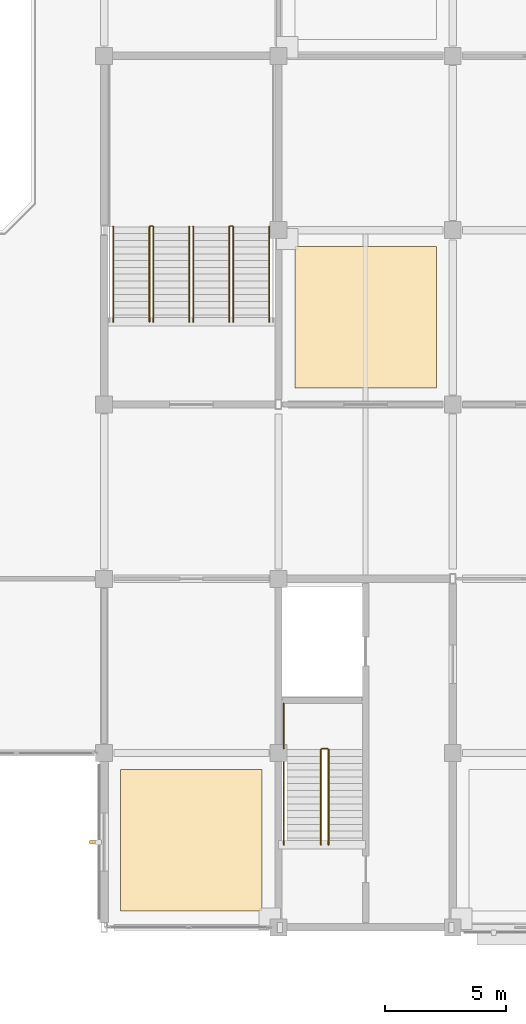
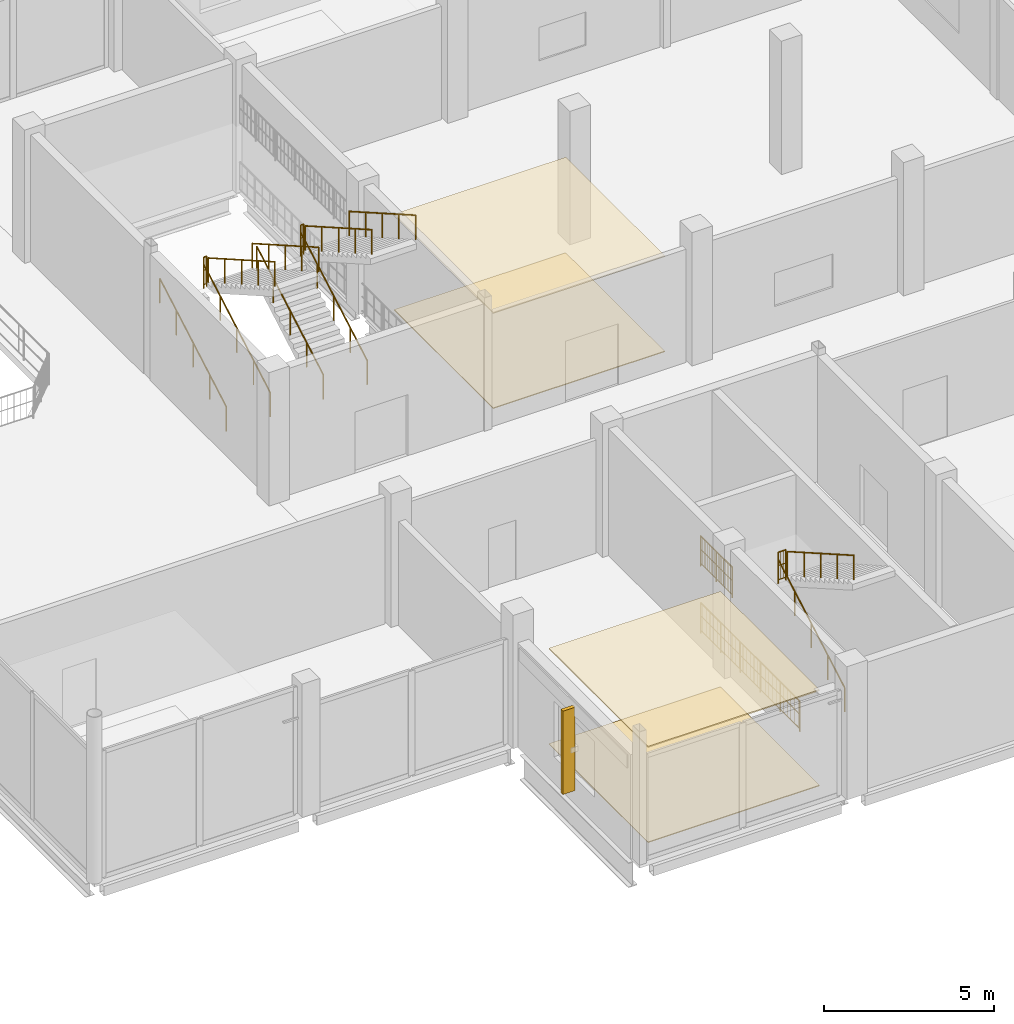
# One storey, part 109 of 120: 15 railings, 4 coverings, 1 shading device.
"""IFC4 building model written with IfcOpenShell, lengths in metres."""

from ifc_helpers import new_model, si_unit, direction, frame, origin, origin_2d, place, context, subcontext, project, spatial, polyline, rectangle, circle, outline, extrude, material, layer, layer_set, type_object, element, save


model = new_model("IFC4")

# Units and contexts
model_context = context("Model", 3, precision=1e-05, world=origin(), true_north=direction((0.0, 1.0)))
body_context = subcontext(model_context, "Body", "Model", "MODEL_VIEW")
ifc_project = project(units=[si_unit("LENGTHUNIT", "METRE"), si_unit("AREAUNIT", "SQUARE_METRE"), si_unit("VOLUMEUNIT", "CUBIC_METRE"), si_unit("PLANEANGLEUNIT", "RADIAN"), si_unit("MASSUNIT", "GRAM", prefix="KILO")], contexts=[model_context])

# Site, building, storey
site_placement = place(None, origin())
site = spatial("IfcSite", under=ifc_project, at=site_placement, CompositionType="ELEMENT")
building_placement = place(site_placement, origin())
building = spatial("IfcBuilding", under=site, at=building_placement, Name="Vesperath Aquatics Centre", CompositionType="ELEMENT")
storey_placement = place(building_placement, frame((0.0, 0.0, 10.199951171875)))
storey = spatial("IfcBuildingStorey", under=building, at=storey_placement, Name="L02", CompositionType="ELEMENT", Elevation=10.199951171875)

# Coverings
ifc_material_1 = material(Name="Perforated moisture-resistant acoustic mineral-fibre ceiling", Category="gypsum")
ifc_layer_1 = layer(ifc_material_1, 0.044921875)
ifc_layer_set_1 = layer_set([ifc_layer_1], Name="Perforated moisture-resistant acoustic mineral-fibre ceiling")
covering_type_1 = type_object("IfcCoveringType", Name="CV-CLG01", PredefinedType="CEILING", material=ifc_layer_set_1)
covering_1_placement = place(storey_placement, frame((0.0, 0.0, 3.425048828125)))
element("IfcCovering", 1, at=covering_1_placement, inside=storey, type_object=covering_type_1, Name="Acoustic Suspended Ceiling CLG1 L02_CARDIO", PredefinedType="CEILING", context=body_context, shape_type="SweptSolid", body=[
    extrude(outline(polyline([(115.8798828125, 0.679931640625), (121.719970703125, 0.679931640625), (121.719970703125, 6.52001953125), (115.8798828125, 6.52001953125), (115.8798828125, 0.679931640625)])), origin(), (0.0, 0.0, 1.0), 0.044921875),
])
covering_2_placement = place(storey_placement, frame((0.0, 0.0, 3.425048828125)))
element("IfcCovering", 2, at=covering_2_placement, inside=storey, type_object=covering_type_1, Name="Acoustic Suspended Ceiling CLG1 L02_FUNC_TR", PredefinedType="CEILING", context=body_context, shape_type="SweptSolid", body=[
    extrude(outline(polyline([(123.080078125, 22.280029296875), (128.919921875, 22.280029296875), (128.919921875, 28.1201171875), (123.080078125, 28.1201171875), (123.080078125, 22.280029296875)])), origin(), (0.0, 0.0, 1.0), 0.044921875),
])
ifc_material_2 = material(Name="Slip-resistant vitrified ceramic and terrazzo flooring", Category="ceramic")
ifc_layer_2 = layer(ifc_material_2, 0.030029296875)
ifc_layer_set_2 = layer_set([ifc_layer_2], Name="Slip-resistant vitrified ceramic and terrazzo flooring")
covering_type_2 = type_object("IfcCoveringType", Name="CV-FLR01", PredefinedType="FLOORING", material=ifc_layer_set_2)
covering_3_placement = place(storey_placement, origin())
element("IfcCovering", 3, at=covering_3_placement, inside=storey, type_object=covering_type_2, Name="Slip-Resistant Floor Finish FLR1 L02_CARDIO", PredefinedType="FLOORING", context=body_context, shape_type="SweptSolid", body=[
    extrude(outline(polyline([(115.8798828125, 0.679931640625), (121.719970703125, 0.679931640625), (121.719970703125, 6.52001953125), (115.8798828125, 6.52001953125), (115.8798828125, 0.679931640625)])), origin(), (0.0, 0.0, 1.0), 0.030029296875),
])
covering_4_placement = place(storey_placement, origin())
element("IfcCovering", 4, at=covering_4_placement, inside=storey, type_object=covering_type_2, Name="Slip-Resistant Floor Finish FLR1 L02_FUNC_TR", PredefinedType="FLOORING", context=body_context, shape_type="SweptSolid", body=[
    extrude(outline(polyline([(123.080078125, 22.280029296875), (128.919921875, 22.280029296875), (128.919921875, 28.1201171875), (123.080078125, 28.1201171875), (123.080078125, 22.280029296875)])), origin(), (0.0, 0.0, 1.0), 0.030029296875),
])

# Railings
ifc_material_3 = material(Name="Powder-coated galvanized steel safety guard", Category="steel")
railing_type_1 = type_object("IfcRailingType", Name="RL-GRD01", PredefinedType="GUARDRAIL", material=ifc_material_3)
railing_1_placement = place(storey_placement, frame((124.179931640625, 7.3798828125, 2.400146484375)))
element("IfcRailing", 5, at=railing_1_placement, inside=storey, type_object=railing_type_1, Name="Stair ST5 Half-Landing Slot Guard GR02 L02", PredefinedType="GUARDRAIL", context=body_context, shape_type="SweptSolid", body=[
    extrude(circle(Radius=0.02392578125, at=origin_2d()), frame((0.0, 0.0, 1.0859375), z_axis=(1.0, 0.0, 0.0), x_axis=(0.0, 1.0, 0.0)), (0.0, 0.0, 1.0), 0.260009765625),
    extrude(circle(Radius=0.01611328125, at=origin_2d()), frame((0.0, 0.0, 0.10009765625), z_axis=(1.0, 0.0, 0.0), x_axis=(0.0, 1.0, 0.0)), (0.0, 0.0, 1.0), 0.260009765625),
    extrude(circle(Radius=0.01611328125, at=origin_2d()), frame((0.0, 0.0, 0.610595703125), z_axis=(1.0, 0.0, 0.0), x_axis=(0.0, 1.0, 0.0)), (0.0, 0.0, 1.0), 0.260009765625),
    extrude(circle(Radius=0.009033203125, at=origin_2d()), frame((0.086669921875, 0.0, 0.10009765625)), (0.0, 0.0, 1.0), 0.9619140625),
    extrude(circle(Radius=0.009033203125, at=origin_2d()), frame((0.17333984375, 0.0, 0.10009765625)), (0.0, 0.0, 1.0), 0.9619140625),
    extrude(circle(Radius=0.02197265625, at=origin_2d()), origin(), (0.0, 0.0, 1.0), 1.0859375),
    extrude(circle(Radius=0.02197265625, at=origin_2d()), frame((0.260009765625, 0.0, 0.0)), (0.0, 0.0, 1.0), 1.0859375),
])
railing_2_placement = place(storey_placement, frame((122.6201171875, 7.3798828125, 2.400146484375)))
element("IfcRailing", 6, at=railing_2_placement, inside=storey, type_object=railing_type_1, Name="Stair ST5 Half-Landing Wall Guard GR02 L02", PredefinedType="GUARDRAIL", context=body_context, shape_type="SweptSolid", body=[
    extrude(circle(Radius=0.02392578125, at=origin_2d()), frame((0.0, 0.0, 1.0859375), z_axis=(0.0, 1.0, 0.0), x_axis=(-1.0, 0.0, 0.0)), (0.0, 0.0, 1.0), 1.880126953125),
    extrude(circle(Radius=0.01611328125, at=origin_2d()), frame((0.0, 0.0, 0.10009765625), z_axis=(0.0, 1.0, 0.0), x_axis=(-1.0, 0.0, 0.0)), (0.0, 0.0, 1.0), 1.880126953125),
    extrude(circle(Radius=0.01611328125, at=origin_2d()), frame((0.0, 0.0, 0.610595703125), z_axis=(0.0, 1.0, 0.0), x_axis=(-1.0, 0.0, 0.0)), (0.0, 0.0, 1.0), 1.880126953125),
    extrude(circle(Radius=0.009033203125, at=origin_2d()), frame((0.0, 0.1044921875, 0.10009765625)), (0.0, 0.0, 1.0), 0.9619140625),
    extrude(circle(Radius=0.009033203125, at=origin_2d()), frame((0.0, 0.208984375, 0.10009765625)), (0.0, 0.0, 1.0), 0.9619140625),
    extrude(circle(Radius=0.009033203125, at=origin_2d()), frame((0.0, 0.3134765625, 0.10009765625)), (0.0, 0.0, 1.0), 0.9619140625),
    extrude(circle(Radius=0.009033203125, at=origin_2d()), frame((0.0, 0.417724609375, 0.10009765625)), (0.0, 0.0, 1.0), 0.9619140625),
    extrude(circle(Radius=0.009033203125, at=origin_2d()), frame((0.0, 0.522216796875, 0.10009765625)), (0.0, 0.0, 1.0), 0.9619140625),
    extrude(circle(Radius=0.009033203125, at=origin_2d()), frame((0.0, 0.626708984375, 0.10009765625)), (0.0, 0.0, 1.0), 0.9619140625),
    extrude(circle(Radius=0.009033203125, at=origin_2d()), frame((0.0, 0.731201171875, 0.10009765625)), (0.0, 0.0, 1.0), 0.9619140625),
    extrude(circle(Radius=0.009033203125, at=origin_2d()), frame((0.0, 0.835693359375, 0.10009765625)), (0.0, 0.0, 1.0), 0.9619140625),
    extrude(circle(Radius=0.009033203125, at=origin_2d()), frame((0.0, 0.93994140625, 0.10009765625)), (0.0, 0.0, 1.0), 0.9619140625),
    extrude(circle(Radius=0.009033203125, at=origin_2d()), frame((0.0, 1.04443359375, 0.10009765625)), (0.0, 0.0, 1.0), 0.9619140625),
    extrude(circle(Radius=0.009033203125, at=origin_2d()), frame((0.0, 1.14892578125, 0.10009765625)), (0.0, 0.0, 1.0), 0.9619140625),
    extrude(circle(Radius=0.009033203125, at=origin_2d()), frame((0.0, 1.25341796875, 0.10009765625)), (0.0, 0.0, 1.0), 0.9619140625),
    extrude(circle(Radius=0.009033203125, at=origin_2d()), frame((0.0, 1.35791015625, 0.10009765625)), (0.0, 0.0, 1.0), 0.9619140625),
    extrude(circle(Radius=0.009033203125, at=origin_2d()), frame((0.0, 1.46240234375, 0.10009765625)), (0.0, 0.0, 1.0), 0.9619140625),
    extrude(circle(Radius=0.009033203125, at=origin_2d()), frame((0.0, 1.56689453125, 0.10009765625)), (0.0, 0.0, 1.0), 0.9619140625),
    extrude(circle(Radius=0.009033203125, at=origin_2d()), frame((0.0, 1.671142578125, 0.10009765625)), (0.0, 0.0, 1.0), 0.9619140625),
    extrude(circle(Radius=0.009033203125, at=origin_2d()), frame((0.0, 1.775634765625, 0.10009765625)), (0.0, 0.0, 1.0), 0.9619140625),
    extrude(circle(Radius=0.02197265625, at=origin_2d()), origin(), (0.0, 0.0, 1.0), 1.0859375),
    extrude(circle(Radius=0.02197265625, at=origin_2d()), frame((0.0, 0.93994140625, 0.0)), (0.0, 0.0, 1.0), 1.0859375),
    extrude(circle(Radius=0.02197265625, at=origin_2d()), frame((0.0, 1.880126953125, 0.0)), (0.0, 0.0, 1.0), 1.0859375),
])
railing_3_placement = place(storey_placement, frame((122.6201171875, 3.39990234375, 0.0)))
element("IfcRailing", 7, at=railing_3_placement, inside=storey, type_object=railing_type_1, Name="Stair ST5 Shaft Side Guard GR02 L02", PredefinedType="GUARDRAIL", context=body_context, shape_type="SweptSolid", body=[
    extrude(circle(Radius=0.02392578125, at=origin_2d()), frame((0.0, 0.0, 1.0859375), z_axis=(0.0, 1.0, 0.0), x_axis=(-1.0, 0.0, 0.0)), (0.0, 0.0, 1.0), 5.840087890625),
    extrude(circle(Radius=0.01611328125, at=origin_2d()), frame((0.0, 0.0, 0.10009765625), z_axis=(0.0, 1.0, 0.0), x_axis=(-1.0, 0.0, 0.0)), (0.0, 0.0, 1.0), 5.840087890625),
    extrude(circle(Radius=0.01611328125, at=origin_2d()), frame((0.0, 0.0, 0.610595703125), z_axis=(0.0, 1.0, 0.0), x_axis=(-1.0, 0.0, 0.0)), (0.0, 0.0, 1.0), 5.840087890625),
    extrude(circle(Radius=0.009033203125, at=origin_2d()), frame((0.0, 0.108154296875, 0.10009765625)), (0.0, 0.0, 1.0), 0.9619140625),
    extrude(circle(Radius=0.009033203125, at=origin_2d()), frame((0.0, 0.324462890625, 0.10009765625)), (0.0, 0.0, 1.0), 0.9619140625),
    extrude(circle(Radius=0.009033203125, at=origin_2d()), frame((0.0, 0.540771484375, 0.10009765625)), (0.0, 0.0, 1.0), 0.9619140625),
    extrude(circle(Radius=0.009033203125, at=origin_2d()), frame((0.0, 0.757080078125, 0.10009765625)), (0.0, 0.0, 1.0), 0.9619140625),
    extrude(circle(Radius=0.009033203125, at=origin_2d()), frame((0.0, 0.973388671875, 0.10009765625)), (0.0, 0.0, 1.0), 0.9619140625),
    extrude(circle(Radius=0.009033203125, at=origin_2d()), frame((0.0, 1.189697265625, 0.10009765625)), (0.0, 0.0, 1.0), 0.9619140625),
    extrude(circle(Radius=0.009033203125, at=origin_2d()), frame((0.0, 1.406005859375, 0.10009765625)), (0.0, 0.0, 1.0), 0.9619140625),
    extrude(circle(Radius=0.009033203125, at=origin_2d()), frame((0.0, 1.622314453125, 0.10009765625)), (0.0, 0.0, 1.0), 0.9619140625),
    extrude(circle(Radius=0.009033203125, at=origin_2d()), frame((0.0, 1.838623046875, 0.10009765625)), (0.0, 0.0, 1.0), 0.9619140625),
    extrude(circle(Radius=0.009033203125, at=origin_2d()), frame((0.0, 2.054931640625, 0.10009765625)), (0.0, 0.0, 1.0), 0.9619140625),
    extrude(circle(Radius=0.009033203125, at=origin_2d()), frame((0.0, 2.271240234375, 0.10009765625)), (0.0, 0.0, 1.0), 0.9619140625),
    extrude(circle(Radius=0.009033203125, at=origin_2d()), frame((0.0, 2.487548828125, 0.10009765625)), (0.0, 0.0, 1.0), 0.9619140625),
    extrude(circle(Radius=0.009033203125, at=origin_2d()), frame((0.0, 2.703857421875, 0.10009765625)), (0.0, 0.0, 1.0), 0.9619140625),
    extrude(circle(Radius=0.009033203125, at=origin_2d()), frame((0.0, 2.919921875, 0.10009765625)), (0.0, 0.0, 1.0), 0.9619140625),
    extrude(circle(Radius=0.009033203125, at=origin_2d()), frame((0.0, 3.13623046875, 0.10009765625)), (0.0, 0.0, 1.0), 0.9619140625),
    extrude(circle(Radius=0.009033203125, at=origin_2d()), frame((0.0, 3.3525390625, 0.10009765625)), (0.0, 0.0, 1.0), 0.9619140625),
    extrude(circle(Radius=0.009033203125, at=origin_2d()), frame((0.0, 3.56884765625, 0.10009765625)), (0.0, 0.0, 1.0), 0.9619140625),
    extrude(circle(Radius=0.009033203125, at=origin_2d()), frame((0.0, 3.78515625, 0.10009765625)), (0.0, 0.0, 1.0), 0.9619140625),
    extrude(circle(Radius=0.009033203125, at=origin_2d()), frame((0.0, 4.00146484375, 0.10009765625)), (0.0, 0.0, 1.0), 0.9619140625),
    extrude(circle(Radius=0.009033203125, at=origin_2d()), frame((0.0, 4.2177734375, 0.10009765625)), (0.0, 0.0, 1.0), 0.9619140625),
    extrude(circle(Radius=0.009033203125, at=origin_2d()), frame((0.0, 4.43408203125, 0.10009765625)), (0.0, 0.0, 1.0), 0.9619140625),
    extrude(circle(Radius=0.009033203125, at=origin_2d()), frame((0.0, 4.650390625, 0.10009765625)), (0.0, 0.0, 1.0), 0.9619140625),
    extrude(circle(Radius=0.009033203125, at=origin_2d()), frame((0.0, 4.86669921875, 0.10009765625)), (0.0, 0.0, 1.0), 0.9619140625),
    extrude(circle(Radius=0.009033203125, at=origin_2d()), frame((0.0, 5.0830078125, 0.10009765625)), (0.0, 0.0, 1.0), 0.9619140625),
    extrude(circle(Radius=0.009033203125, at=origin_2d()), frame((0.0, 5.29931640625, 0.10009765625)), (0.0, 0.0, 1.0), 0.9619140625),
    extrude(circle(Radius=0.009033203125, at=origin_2d()), frame((0.0, 5.515625, 0.10009765625)), (0.0, 0.0, 1.0), 0.9619140625),
    extrude(circle(Radius=0.009033203125, at=origin_2d()), frame((0.0, 5.73193359375, 0.10009765625)), (0.0, 0.0, 1.0), 0.9619140625),
    extrude(circle(Radius=0.02197265625, at=origin_2d()), origin(), (0.0, 0.0, 1.0), 1.0859375),
    extrude(circle(Radius=0.02197265625, at=origin_2d()), frame((0.0, 1.16796875, 0.0)), (0.0, 0.0, 1.0), 1.0859375),
    extrude(circle(Radius=0.02197265625, at=origin_2d()), frame((0.0, 2.3359375, 0.0)), (0.0, 0.0, 1.0), 1.0859375),
    extrude(circle(Radius=0.02197265625, at=origin_2d()), frame((0.0, 3.504150390625, 0.0)), (0.0, 0.0, 1.0), 1.0859375),
    extrude(circle(Radius=0.02197265625, at=origin_2d()), frame((0.0, 4.672119140625, 0.0)), (0.0, 0.0, 1.0), 1.0859375),
    extrude(circle(Radius=0.02197265625, at=origin_2d()), frame((0.0, 5.840087890625, 0.0)), (0.0, 0.0, 1.0), 1.0859375),
])
railing_4_placement = place(storey_placement, frame((117.10009765625, 28.97998046875, 2.400146484375)))
element("IfcRailing", 8, at=railing_4_placement, inside=storey, type_object=railing_type_1, Name="Stair ST7A Half-Landing Slot Guard GR02 L02", PredefinedType="GUARDRAIL", context=body_context, shape_type="SweptSolid", body=[
    extrude(circle(Radius=0.02392578125, at=origin_2d()), frame((0.0, 0.0, 1.0859375), z_axis=(1.0, 0.0, 0.0), x_axis=(0.0, 1.0, 0.0)), (0.0, 0.0, 1.0), 0.099853515625),
    extrude(circle(Radius=0.01611328125, at=origin_2d()), frame((0.0, 0.0, 0.10009765625), z_axis=(1.0, 0.0, 0.0), x_axis=(0.0, 1.0, 0.0)), (0.0, 0.0, 1.0), 0.099853515625),
    extrude(circle(Radius=0.01611328125, at=origin_2d()), frame((0.0, 0.0, 0.610595703125), z_axis=(1.0, 0.0, 0.0), x_axis=(0.0, 1.0, 0.0)), (0.0, 0.0, 1.0), 0.099853515625),
    extrude(circle(Radius=0.009033203125, at=origin_2d()), frame((0.0498046875, 0.0, 0.10009765625)), (0.0, 0.0, 1.0), 0.9619140625),
    extrude(circle(Radius=0.02197265625, at=origin_2d()), origin(), (0.0, 0.0, 1.0), 1.0859375),
    extrude(circle(Radius=0.02197265625, at=origin_2d()), frame((0.099853515625, 0.0, 0.0)), (0.0, 0.0, 1.0), 1.0859375),
])
railing_5_placement = place(storey_placement, frame((120.39990234375, 28.97998046875, 2.400146484375)))
element("IfcRailing", 9, at=railing_5_placement, inside=storey, type_object=railing_type_1, Name="Stair ST7B Half-Landing Slot Guard GR02 L02", PredefinedType="GUARDRAIL", context=body_context, shape_type="SweptSolid", body=[
    extrude(circle(Radius=0.02392578125, at=origin_2d()), frame((0.0, 0.0, 1.0859375), z_axis=(1.0, 0.0, 0.0), x_axis=(0.0, 1.0, 0.0)), (0.0, 0.0, 1.0), 0.10009765625),
    extrude(circle(Radius=0.01611328125, at=origin_2d()), frame((0.0, 0.0, 0.10009765625), z_axis=(1.0, 0.0, 0.0), x_axis=(0.0, 1.0, 0.0)), (0.0, 0.0, 1.0), 0.10009765625),
    extrude(circle(Radius=0.01611328125, at=origin_2d()), frame((0.0, 0.0, 0.610595703125), z_axis=(1.0, 0.0, 0.0), x_axis=(0.0, 1.0, 0.0)), (0.0, 0.0, 1.0), 0.10009765625),
    extrude(circle(Radius=0.009033203125, at=origin_2d()), frame((0.050048828125, 0.0, 0.10009765625)), (0.0, 0.0, 1.0), 0.9619140625),
    extrude(circle(Radius=0.02197265625, at=origin_2d()), origin(), (0.0, 0.0, 1.0), 1.0859375),
    extrude(circle(Radius=0.02197265625, at=origin_2d()), frame((0.10009765625, 0.0, 0.0)), (0.0, 0.0, 1.0), 1.0859375),
])
ifc_material_4 = material(Name="Brushed stainless steel tubular handrail", Category="steel")
railing_type_2 = type_object("IfcRailingType", Name="RL-HND01", PredefinedType="HANDRAIL", material=ifc_material_4)
railing_6_placement = place(storey_placement, frame((124.14990234375, 3.419921875, 0.16015625)))
element("IfcRailing", 10, at=railing_6_placement, inside=storey, type_object=railing_type_2, Name="Stair ST5 Flight 1 Handrail HR01 L02", PredefinedType="HANDRAIL", context=body_context, shape_type="SweptSolid", body=[
    extrude(circle(Radius=0.02392578125, at=origin_2d()), frame((0.0, 0.0, 0.8759765625), z_axis=(0.0, 0.86825312469, 0.496121468458), x_axis=(-1.0, 0.0, 0.0)), (0.0, 0.0, 1.0), 4.514892578125),
    extrude(circle(Radius=0.02197265625, at=origin_2d()), origin(), (0.0, 0.0, 1.0), 0.8759765625),
    extrude(circle(Radius=0.02197265625, at=origin_2d()), frame((0.0, 0.97998046875, 0.56005859375)), (0.0, 0.0, 1.0), 0.8759765625),
    extrude(circle(Radius=0.02197265625, at=origin_2d()), frame((0.0, 1.9599609375, 1.1201171875)), (0.0, 0.0, 1.0), 0.8759765625),
    extrude(circle(Radius=0.02197265625, at=origin_2d()), frame((0.0, 2.940185546875, 1.679931640625)), (0.0, 0.0, 1.0), 0.8759765625),
    extrude(circle(Radius=0.02197265625, at=origin_2d()), frame((0.0, 3.920166015625, 2.239990234375)), (0.0, 0.0, 1.0), 0.8759765625),
])
railing_7_placement = place(storey_placement, frame((124.469970703125, 7.340087890625, 2.56005859375)))
element("IfcRailing", 11, at=railing_7_placement, inside=storey, type_object=railing_type_2, Name="Stair ST5 Flight 2 Handrail HR01 L02", PredefinedType="HANDRAIL", context=body_context, shape_type="SweptSolid", body=[
    extrude(circle(Radius=0.02392578125, at=origin_2d()), frame((0.0, 0.0, 0.8759765625), z_axis=(0.0, -0.86825312469, 0.496121468458), x_axis=(1.0, 0.0, 0.0)), (0.0, 0.0, 1.0), 4.514892578125),
    extrude(circle(Radius=0.02197265625, at=origin_2d()), origin(), (0.0, 0.0, 1.0), 0.8759765625),
    extrude(circle(Radius=0.02197265625, at=origin_2d()), frame((0.0, -0.97998046875, 0.56005859375)), (0.0, 0.0, 1.0), 0.8759765625),
    extrude(circle(Radius=0.02197265625, at=origin_2d()), frame((0.0, -1.9599609375, 1.1201171875)), (0.0, 0.0, 1.0), 0.8759765625),
    extrude(circle(Radius=0.02197265625, at=origin_2d()), frame((0.0, -2.940185546875, 1.679931640625)), (0.0, 0.0, 1.0), 0.8759765625),
    extrude(circle(Radius=0.02197265625, at=origin_2d()), frame((0.0, -3.920166015625, 2.239990234375)), (0.0, 0.0, 1.0), 0.8759765625),
])
railing_8_placement = place(storey_placement, frame((117.070068359375, 25.02001953125, 0.16015625)))
element("IfcRailing", 12, at=railing_8_placement, inside=storey, type_object=railing_type_2, Name="Stair ST7A Flight 1 Handrail HR01 L02", PredefinedType="HANDRAIL", context=body_context, shape_type="SweptSolid", body=[
    extrude(circle(Radius=0.02392578125, at=origin_2d()), frame((0.0, 0.0, 0.8759765625), z_axis=(0.0, 0.868239814368, 0.496144761885), x_axis=(-1.0, 0.0, 0.0)), (0.0, 0.0, 1.0), 4.514892578125),
    extrude(circle(Radius=0.02197265625, at=origin_2d()), origin(), (0.0, 0.0, 1.0), 0.8759765625),
    extrude(circle(Radius=0.02197265625, at=origin_2d()), frame((0.0, 0.97998046875, 0.56005859375)), (0.0, 0.0, 1.0), 0.8759765625),
    extrude(circle(Radius=0.02197265625, at=origin_2d()), frame((0.0, 1.9599609375, 1.1201171875)), (0.0, 0.0, 1.0), 0.8759765625),
    extrude(circle(Radius=0.02197265625, at=origin_2d()), frame((0.0, 2.93994140625, 1.679931640625)), (0.0, 0.0, 1.0), 0.8759765625),
    extrude(circle(Radius=0.02197265625, at=origin_2d()), frame((0.0, 3.919921875, 2.239990234375)), (0.0, 0.0, 1.0), 0.8759765625),
])
railing_9_placement = place(storey_placement, frame((117.22998046875, 28.93994140625, 2.56005859375)))
element("IfcRailing", 13, at=railing_9_placement, inside=storey, type_object=railing_type_2, Name="Stair ST7A Flight 2 Handrail HR01 L02", PredefinedType="HANDRAIL", context=body_context, shape_type="SweptSolid", body=[
    extrude(circle(Radius=0.02392578125, at=origin_2d()), frame((0.0, 0.0, 0.8759765625), z_axis=(0.0, -0.868239814368, 0.496144761885), x_axis=(1.0, 0.0, 0.0)), (0.0, 0.0, 1.0), 4.514892578125),
    extrude(circle(Radius=0.02197265625, at=origin_2d()), origin(), (0.0, 0.0, 1.0), 0.8759765625),
    extrude(circle(Radius=0.02197265625, at=origin_2d()), frame((0.0, -0.97998046875, 0.56005859375)), (0.0, 0.0, 1.0), 0.8759765625),
    extrude(circle(Radius=0.02197265625, at=origin_2d()), frame((0.0, -1.9599609375, 1.1201171875)), (0.0, 0.0, 1.0), 0.8759765625),
    extrude(circle(Radius=0.02197265625, at=origin_2d()), frame((0.0, -2.93994140625, 1.679931640625)), (0.0, 0.0, 1.0), 0.8759765625),
    extrude(circle(Radius=0.02197265625, at=origin_2d()), frame((0.0, -3.919921875, 2.239990234375)), (0.0, 0.0, 1.0), 0.8759765625),
])
railing_10_placement = place(storey_placement, frame((115.580078125, 25.02001953125, 0.16015625)))
element("IfcRailing", 14, at=railing_10_placement, inside=storey, type_object=railing_type_2, Name="Stair ST7A Flight 1 Handrail HR01 L02", PredefinedType="HANDRAIL", context=body_context, shape_type="SweptSolid", body=[
    extrude(circle(Radius=0.02392578125, at=origin_2d()), frame((0.0, 0.0, 0.8759765625), z_axis=(0.0, 0.868239814368, 0.496144761885), x_axis=(-1.0, 0.0, 0.0)), (0.0, 0.0, 1.0), 4.514892578125),
    extrude(circle(Radius=0.02197265625, at=origin_2d()), origin(), (0.0, 0.0, 1.0), 0.8759765625),
    extrude(circle(Radius=0.02197265625, at=origin_2d()), frame((0.0, 0.97998046875, 0.56005859375)), (0.0, 0.0, 1.0), 0.8759765625),
    extrude(circle(Radius=0.02197265625, at=origin_2d()), frame((0.0, 1.9599609375, 1.1201171875)), (0.0, 0.0, 1.0), 0.8759765625),
    extrude(circle(Radius=0.02197265625, at=origin_2d()), frame((0.0, 2.93994140625, 1.679931640625)), (0.0, 0.0, 1.0), 0.8759765625),
    extrude(circle(Radius=0.02197265625, at=origin_2d()), frame((0.0, 3.919921875, 2.239990234375)), (0.0, 0.0, 1.0), 0.8759765625),
])
railing_11_placement = place(storey_placement, frame((118.719970703125, 28.93994140625, 2.56005859375)))
element("IfcRailing", 15, at=railing_11_placement, inside=storey, type_object=railing_type_2, Name="Stair ST7A Flight 2 Handrail HR01 L02", PredefinedType="HANDRAIL", context=body_context, shape_type="SweptSolid", body=[
    extrude(circle(Radius=0.02392578125, at=origin_2d()), frame((0.0, 0.0, 0.8759765625), z_axis=(0.0, -0.868239814368, 0.496144761885), x_axis=(1.0, 0.0, 0.0)), (0.0, 0.0, 1.0), 4.514892578125),
    extrude(circle(Radius=0.02197265625, at=origin_2d()), origin(), (0.0, 0.0, 1.0), 0.8759765625),
    extrude(circle(Radius=0.02197265625, at=origin_2d()), frame((0.0, -0.97998046875, 0.56005859375)), (0.0, 0.0, 1.0), 0.8759765625),
    extrude(circle(Radius=0.02197265625, at=origin_2d()), frame((0.0, -1.9599609375, 1.1201171875)), (0.0, 0.0, 1.0), 0.8759765625),
    extrude(circle(Radius=0.02197265625, at=origin_2d()), frame((0.0, -2.93994140625, 1.679931640625)), (0.0, 0.0, 1.0), 0.8759765625),
    extrude(circle(Radius=0.02197265625, at=origin_2d()), frame((0.0, -3.919921875, 2.239990234375)), (0.0, 0.0, 1.0), 0.8759765625),
])
railing_12_placement = place(storey_placement, frame((120.3701171875, 25.02001953125, 0.16015625)))
element("IfcRailing", 16, at=railing_12_placement, inside=storey, type_object=railing_type_2, Name="Stair ST7B Flight 1 Handrail HR01 L02", PredefinedType="HANDRAIL", context=body_context, shape_type="SweptSolid", body=[
    extrude(circle(Radius=0.02392578125, at=origin_2d()), frame((0.0, 0.0, 0.8759765625), z_axis=(0.0, 0.868239814368, 0.496144761885), x_axis=(-1.0, 0.0, 0.0)), (0.0, 0.0, 1.0), 4.514892578125),
    extrude(circle(Radius=0.02197265625, at=origin_2d()), origin(), (0.0, 0.0, 1.0), 0.8759765625),
    extrude(circle(Radius=0.02197265625, at=origin_2d()), frame((0.0, 0.97998046875, 0.56005859375)), (0.0, 0.0, 1.0), 0.8759765625),
    extrude(circle(Radius=0.02197265625, at=origin_2d()), frame((0.0, 1.9599609375, 1.1201171875)), (0.0, 0.0, 1.0), 0.8759765625),
    extrude(circle(Radius=0.02197265625, at=origin_2d()), frame((0.0, 2.93994140625, 1.679931640625)), (0.0, 0.0, 1.0), 0.8759765625),
    extrude(circle(Radius=0.02197265625, at=origin_2d()), frame((0.0, 3.919921875, 2.239990234375)), (0.0, 0.0, 1.0), 0.8759765625),
])
railing_13_placement = place(storey_placement, frame((120.530029296875, 28.93994140625, 2.56005859375)))
element("IfcRailing", 17, at=railing_13_placement, inside=storey, type_object=railing_type_2, Name="Stair ST7B Flight 2 Handrail HR01 L02", PredefinedType="HANDRAIL", context=body_context, shape_type="SweptSolid", body=[
    extrude(circle(Radius=0.02392578125, at=origin_2d()), frame((0.0, 0.0, 0.8759765625), z_axis=(0.0, -0.868239814368, 0.496144761885), x_axis=(1.0, 0.0, 0.0)), (0.0, 0.0, 1.0), 4.514892578125),
    extrude(circle(Radius=0.02197265625, at=origin_2d()), origin(), (0.0, 0.0, 1.0), 0.8759765625),
    extrude(circle(Radius=0.02197265625, at=origin_2d()), frame((0.0, -0.97998046875, 0.56005859375)), (0.0, 0.0, 1.0), 0.8759765625),
    extrude(circle(Radius=0.02197265625, at=origin_2d()), frame((0.0, -1.9599609375, 1.1201171875)), (0.0, 0.0, 1.0), 0.8759765625),
    extrude(circle(Radius=0.02197265625, at=origin_2d()), frame((0.0, -2.93994140625, 1.679931640625)), (0.0, 0.0, 1.0), 0.8759765625),
    extrude(circle(Radius=0.02197265625, at=origin_2d()), frame((0.0, -3.919921875, 2.239990234375)), (0.0, 0.0, 1.0), 0.8759765625),
])
railing_14_placement = place(storey_placement, frame((118.8798828125, 25.02001953125, 0.16015625)))
element("IfcRailing", 18, at=railing_14_placement, inside=storey, type_object=railing_type_2, Name="Stair ST7B Flight 1 Handrail HR01 L02", PredefinedType="HANDRAIL", context=body_context, shape_type="SweptSolid", body=[
    extrude(circle(Radius=0.02392578125, at=origin_2d()), frame((0.0, 0.0, 0.8759765625), z_axis=(0.0, 0.868239814368, 0.496144761885), x_axis=(-1.0, 0.0, 0.0)), (0.0, 0.0, 1.0), 4.514892578125),
    extrude(circle(Radius=0.02197265625, at=origin_2d()), origin(), (0.0, 0.0, 1.0), 0.8759765625),
    extrude(circle(Radius=0.02197265625, at=origin_2d()), frame((0.0, 0.97998046875, 0.56005859375)), (0.0, 0.0, 1.0), 0.8759765625),
    extrude(circle(Radius=0.02197265625, at=origin_2d()), frame((0.0, 1.9599609375, 1.1201171875)), (0.0, 0.0, 1.0), 0.8759765625),
    extrude(circle(Radius=0.02197265625, at=origin_2d()), frame((0.0, 2.93994140625, 1.679931640625)), (0.0, 0.0, 1.0), 0.8759765625),
    extrude(circle(Radius=0.02197265625, at=origin_2d()), frame((0.0, 3.919921875, 2.239990234375)), (0.0, 0.0, 1.0), 0.8759765625),
])
railing_15_placement = place(storey_placement, frame((122.02001953125, 28.93994140625, 2.56005859375)))
element("IfcRailing", 19, at=railing_15_placement, inside=storey, type_object=railing_type_2, Name="Stair ST7B Flight 2 Handrail HR01 L02", PredefinedType="HANDRAIL", context=body_context, shape_type="SweptSolid", body=[
    extrude(circle(Radius=0.02392578125, at=origin_2d()), frame((0.0, 0.0, 0.8759765625), z_axis=(0.0, -0.868239814368, 0.496144761885), x_axis=(1.0, 0.0, 0.0)), (0.0, 0.0, 1.0), 4.514892578125),
    extrude(circle(Radius=0.02197265625, at=origin_2d()), origin(), (0.0, 0.0, 1.0), 0.8759765625),
    extrude(circle(Radius=0.02197265625, at=origin_2d()), frame((0.0, -0.97998046875, 0.56005859375)), (0.0, 0.0, 1.0), 0.8759765625),
    extrude(circle(Radius=0.02197265625, at=origin_2d()), frame((0.0, -1.9599609375, 1.1201171875)), (0.0, 0.0, 1.0), 0.8759765625),
    extrude(circle(Radius=0.02197265625, at=origin_2d()), frame((0.0, -2.93994140625, 1.679931640625)), (0.0, 0.0, 1.0), 0.8759765625),
    extrude(circle(Radius=0.02197265625, at=origin_2d()), frame((0.0, -3.919921875, 2.239990234375)), (0.0, 0.0, 1.0), 0.8759765625),
])

# Shading device
ifc_material_5 = material(Name="Perforated bronze botanical solar fin", Category="aluminium")
shading_device_type = type_object("IfcShadingDeviceType", Name="SH-FIN01", PredefinedType="USERDEFINED", material=ifc_material_5)
shading_device_placement = place(storey_placement, frame((114.800048828125, 3.52490234375, 0.5), z_axis=(0.0, 0.0, 1.0), x_axis=(1.0, 0.0, 0.0)))
element("IfcShadingDevice", 20, at=shading_device_placement, inside=storey, type_object=shading_device_type, Name="Botanical Bronze Solar Fin FN01 L02_W_16_00", ObjectType="FIN", PredefinedType="USERDEFINED", context=body_context, shape_type="SweptSolid", body=[
    extrude(rectangle(XDim=0.419921875, YDim=0.1201171875, at=origin_2d()), origin(), (0.0, 0.0, 1.0), 3.0),
])

save(model, "model.ifc")
